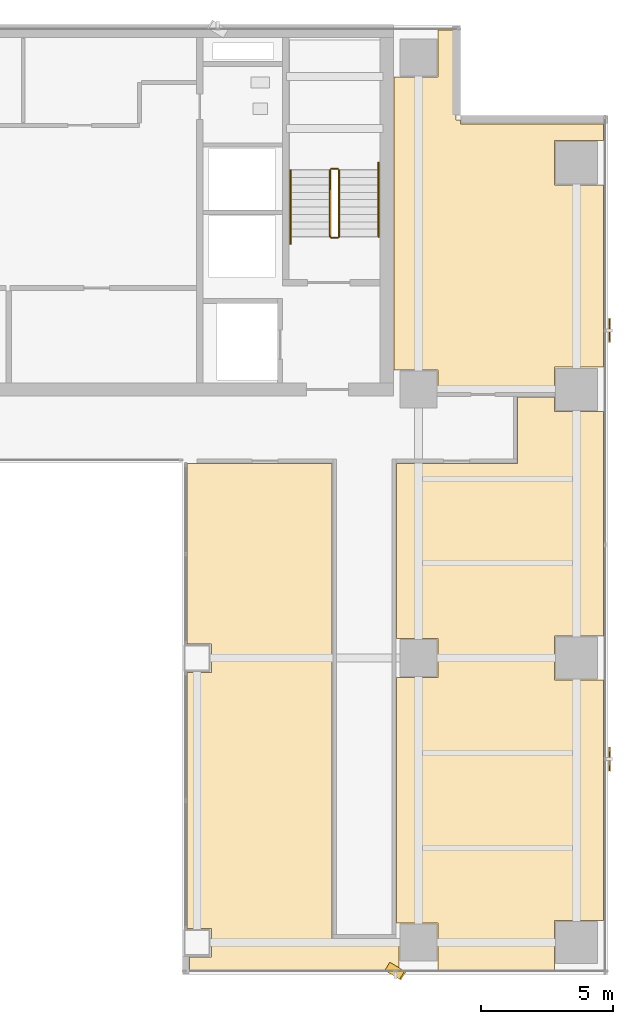
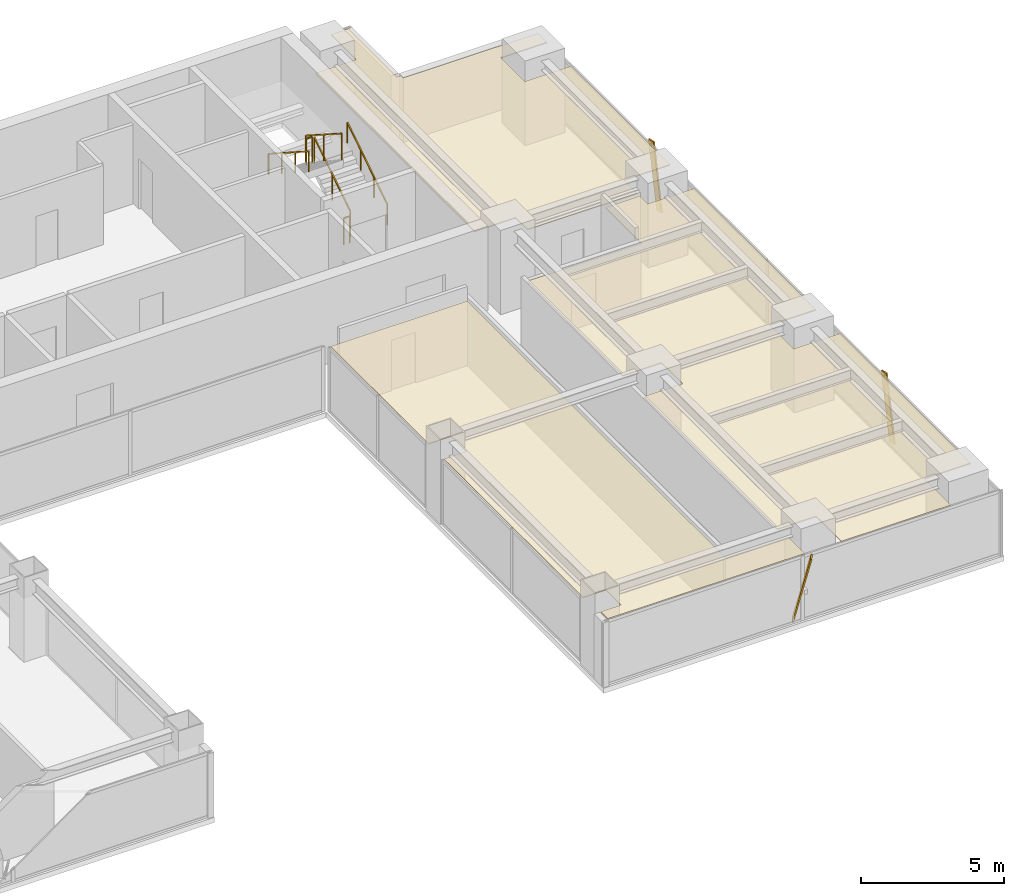
# One storey, part 27 of 29: 6 railings, 3 coverings, 3 shading devices.
"""IFC4 building model written with IfcOpenShell, lengths in metres."""

from ifc_helpers import new_model, si_unit, direction, frame, origin, origin_2d, place, context, subcontext, project, spatial, polyline, rectangle, outline, extrude, source, transform, mapped, material, layer, layer_set, material_profile, profile_set, type_object, element, save


model = new_model("IFC4")

# Units and contexts
model_context = context("Model", 3, precision=1e-05, world=origin(), true_north=direction((0.0, 1.0)))
body_context = subcontext(model_context, "Body", "Model", "MODEL_VIEW")
ifc_project = project(units=[si_unit("LENGTHUNIT", "METRE"), si_unit("AREAUNIT", "SQUARE_METRE"), si_unit("VOLUMEUNIT", "CUBIC_METRE"), si_unit("PLANEANGLEUNIT", "RADIAN"), si_unit("MASSUNIT", "GRAM", prefix="KILO")], contexts=[model_context])

# Site, building, storey
site_placement = place(None, origin())
site = spatial("IfcSite", under=ifc_project, at=site_placement, CompositionType="ELEMENT")
building_placement = place(site_placement, origin())
building = spatial("IfcBuilding", under=site, at=building_placement, Name="Sumidabori Civic Tower", CompositionType="ELEMENT")
storey_placement = place(building_placement, frame((0.0, 0.0, 207.199951171875)))
storey = spatial("IfcBuildingStorey", under=building, at=storey_placement, Name="L53", CompositionType="ELEMENT", Elevation=207.199951171875)

# Coverings
ifc_material_1 = material(Name="Perforated Timber Acoustic Ceiling", Category="wood")
ifc_layer = layer(ifc_material_1, 0.044921875, Name="Perforated Timber Acoustic Ceiling")
ifc_layer_set = layer_set([ifc_layer], Name="Perforated Timber Acoustic Ceiling")
covering_type = type_object("IfcCoveringType", Name="CV-CEIL-AC2", PredefinedType="CEILING", material=ifc_layer_set)
covering_1_placement = place(storey_placement, frame((0.0, 0.0, 2.72998046875)))
element("IfcCovering", 1, at=covering_1_placement, inside=storey, type_object=covering_type, Name="Room Acoustic Ceiling L53-02", PredefinedType="CEILING", context=body_context, shape_type="SweptSolid", body=[
    extrude(outline(polyline([(23.830078125, 20.27197265625), (23.830078125, 19.639892578125), (21.9599609375, 19.639892578125), (21.9599609375, 17.9599609375), (23.830078125, 17.9599609375), (23.830078125, 11.0400390625), (21.9599609375, 11.0400390625), (21.9599609375, 10.094970703125), (20.570068359375, 10.094970703125), (20.570068359375, 10.1201171875), (17.5400390625, 10.1201171875), (17.5400390625, 10.93994140625), (15.8779296875, 10.93994140625), (15.8779296875, 22.06005859375), (17.5400390625, 22.06005859375), (17.5400390625, 23.830078125), (18.22998046875, 23.830078125), (18.22998046875, 20.429931640625), (18.39208984375, 20.429931640625), (18.39208984375, 20.27197265625), (23.830078125, 20.27197265625)])), origin(), (0.0, 0.0, 1.0), 0.045166015625),
])
covering_2_placement = place(storey_placement, frame((0.0, 0.0, 2.72998046875)))
element("IfcCovering", 2, at=covering_2_placement, inside=storey, type_object=covering_type, Name="Room Acoustic Ceiling L53-04", PredefinedType="CEILING", context=body_context, shape_type="SweptSolid", body=[
    extrude(outline(polyline([(17.5400390625, -10.06005859375), (15.969970703125, -10.06005859375), (15.969970703125, -0.739990234375), (17.5400390625, -0.739990234375), (17.5400390625, 0.739990234375), (15.969970703125, 0.739990234375), (15.969970703125, 7.3798828125), (20.570068359375, 7.3798828125), (20.570068359375, 9.905029296875), (21.9599609375, 9.905029296875), (21.9599609375, 9.360107421875), (23.830078125, 9.360107421875), (23.830078125, 0.840087890625), (21.9599609375, 0.840087890625), (21.9599609375, -0.840087890625), (23.830078125, -0.840087890625), (23.830078125, -9.9599609375), (21.9599609375, -9.9599609375), (21.9599609375, -11.830078125), (17.5400390625, -11.830078125), (17.5400390625, -10.06005859375)])), origin(), (0.0, 0.0, 1.0), 0.045166015625),
])
covering_3_placement = place(storey_placement, frame((0.0, 0.0, 2.72998046875)))
element("IfcCovering", 3, at=covering_3_placement, inside=storey, type_object=covering_type, Name="Room Acoustic Ceiling L53-06", PredefinedType="CEILING", context=body_context, shape_type="SweptSolid", body=[
    extrude(outline(polyline([(8.93994140625, -11.340087890625), (8.93994140625, -10.260009765625), (8.02001953125, -10.260009765625), (8.02001953125, -0.5400390625), (8.93994140625, -0.5400390625), (8.93994140625, 0.5400390625), (8.02001953125, 0.5400390625), (8.02001953125, 7.3798828125), (13.530029296875, 7.3798828125), (13.530029296875, -10.669921875), (16.06005859375, -10.669921875), (16.06005859375, -11.830078125), (8.117919921875, -11.830078125), (8.117919921875, -11.340087890625), (8.93994140625, -11.340087890625)])), origin(), (0.0, 0.0, 1.0), 0.045166015625),
])

# Railings
ifc_material_2 = material(Name="Stainless Steel Hairline Finish", Category="steel")
railing_type_1 = type_object("IfcRailingType", Name="RL-HANDRAIL", PredefinedType="HANDRAIL", material=ifc_material_2)
railing_1_placement = place(storey_placement, frame((15.2900390625, 16.0, 0.179931640625)))
element("IfcRailing", 4, at=railing_1_placement, inside=storey, type_object=railing_type_1, Name="L53 ST-2 stair handrail 1", PredefinedType="HANDRAIL", context=body_context, shape_type="SweptSolid", body=[
    extrude(rectangle(XDim=0.048095703125, YDim=0.048095703125, at=origin_2d()), frame((0.0, 0.0, 0.8759765625), z_axis=(0.0, 0.84064222762, 0.54159084662), x_axis=(-1.0, 0.0, 0.0)), (0.0, 0.0, 1.0), 3.330810546875),
    extrude(rectangle(XDim=0.0419921875, YDim=0.0419921875, at=origin_2d()), origin(), (0.0, 0.0, 1.0), 0.851806640625),
    extrude(rectangle(XDim=0.0419921875, YDim=0.0419921875, at=origin_2d()), frame((0.0, 0.933349609375, 0.601318359375)), (0.0, 0.0, 1.0), 0.851806640625),
    extrude(rectangle(XDim=0.0419921875, YDim=0.0419921875, at=origin_2d()), frame((0.0, 1.86669921875, 1.20263671875)), (0.0, 0.0, 1.0), 0.851806640625),
    extrude(rectangle(XDim=0.0419921875, YDim=0.0419921875, at=origin_2d()), frame((0.0, 2.800048828125, 1.803955078125)), (0.0, 0.0, 1.0), 0.851806640625),
])
railing_2_placement = place(storey_placement, frame((11.949951171875, 18.52001953125, 1.97998046875)))
element("IfcRailing", 5, at=railing_2_placement, inside=storey, type_object=railing_type_1, Name="L53 ST-2 stair handrail 2", PredefinedType="HANDRAIL", context=body_context, shape_type="SweptSolid", body=[
    extrude(rectangle(XDim=0.048095703125, YDim=0.048095703125, at=origin_2d()), frame((0.0, 0.0, 0.8759765625), z_axis=(0.0, -0.84064222762, 0.54159084662), x_axis=(1.0, 0.0, 0.0)), (0.0, 0.0, 1.0), 3.330810546875),
    extrude(rectangle(XDim=0.0419921875, YDim=0.0419921875, at=origin_2d()), origin(), (0.0, 0.0, 1.0), 0.851806640625),
    extrude(rectangle(XDim=0.0419921875, YDim=0.0419921875, at=origin_2d()), frame((0.0, -0.933349609375, 0.601318359375)), (0.0, 0.0, 1.0), 0.851806640625),
    extrude(rectangle(XDim=0.0419921875, YDim=0.0419921875, at=origin_2d()), frame((0.0, -1.86669921875, 1.20263671875)), (0.0, 0.0, 1.0), 0.851806640625),
    extrude(rectangle(XDim=0.0419921875, YDim=0.0419921875, at=origin_2d()), frame((0.0, -2.800048828125, 1.803955078125)), (0.0, 0.0, 1.0), 0.851806640625),
])
ifc_material_3 = material(Name="Steel SN490", Category="steel")
railing_type_2 = type_object("IfcRailingType", Name="RL-STAIR-GUARD", PredefinedType="GUARDRAIL", material=ifc_material_3)
railing_3_placement = place(storey_placement, frame((13.7900390625, 16.0, 0.179931640625)))
element("IfcRailing", 6, at=railing_3_placement, inside=storey, type_object=railing_type_2, Name="L53 ST-2 stair guard 1", PredefinedType="GUARDRAIL", context=body_context, shape_type="SweptSolid", body=[
    extrude(rectangle(XDim=0.048095703125, YDim=0.048095703125, at=origin_2d()), frame((0.0, 0.0, 1.1259765625), z_axis=(0.0, 0.841162588446, 0.540782303519), x_axis=(-1.0, 0.0, 0.0)), (0.0, 0.0, 1.0), 2.995849609375),
    extrude(rectangle(XDim=0.0419921875, YDim=0.0419921875, at=origin_2d()), origin(), (0.0, 0.0, 1.0), 1.101806640625),
    extrude(rectangle(XDim=0.0419921875, YDim=0.0419921875, at=origin_2d()), frame((0.0, 1.260009765625, 0.81005859375)), (0.0, 0.0, 1.0), 1.101806640625),
    extrude(rectangle(XDim=0.0419921875, YDim=0.0419921875, at=origin_2d()), frame((0.0, 2.52001953125, 1.6201171875)), (0.0, 0.0, 1.0), 1.101806640625),
])
railing_4_placement = place(storey_placement, frame((13.739990234375, 18.570068359375, 1.800048828125)))
element("IfcRailing", 7, at=railing_4_placement, inside=storey, type_object=railing_type_2, Name="L53 ST-2 stair guard 2", PredefinedType="GUARDRAIL", context=body_context, shape_type="SweptSolid", body=[
    extrude(rectangle(XDim=0.048095703125, YDim=0.048095703125, at=origin_2d()), frame((0.0, 0.0, 1.1259765625), z_axis=(-1.0, 0.0, 0.0), x_axis=(0.0, -1.0, 0.0)), (0.0, 0.0, 1.0), 0.239990234375),
    extrude(rectangle(XDim=0.0419921875, YDim=0.0419921875, at=origin_2d()), origin(), (0.0, 0.0, 1.0), 1.101806640625),
    extrude(rectangle(XDim=0.0419921875, YDim=0.0419921875, at=origin_2d()), frame((-0.239990234375, 0.0, 0.0)), (0.0, 0.0, 1.0), 1.101806640625),
])
railing_5_placement = place(storey_placement, frame((13.449951171875, 18.52001953125, 1.97998046875)))
element("IfcRailing", 8, at=railing_5_placement, inside=storey, type_object=railing_type_2, Name="L53 ST-2 stair guard 3", PredefinedType="GUARDRAIL", context=body_context, shape_type="SweptSolid", body=[
    extrude(rectangle(XDim=0.048095703125, YDim=0.048095703125, at=origin_2d()), frame((0.0, 0.0, 1.1259765625), z_axis=(0.0, -0.841162588446, 0.540782303519), x_axis=(1.0, 0.0, 0.0)), (0.0, 0.0, 1.0), 2.995849609375),
    extrude(rectangle(XDim=0.0419921875, YDim=0.0419921875, at=origin_2d()), origin(), (0.0, 0.0, 1.0), 1.101806640625),
    extrude(rectangle(XDim=0.0419921875, YDim=0.0419921875, at=origin_2d()), frame((0.0, -1.260009765625, 0.81005859375)), (0.0, 0.0, 1.0), 1.101806640625),
    extrude(rectangle(XDim=0.0419921875, YDim=0.0419921875, at=origin_2d()), frame((0.0, -2.52001953125, 1.6201171875)), (0.0, 0.0, 1.0), 1.101806640625),
])
railing_6_placement = place(storey_placement, frame((13.739990234375, 15.949951171875, 0.0)))
element("IfcRailing", 9, at=railing_6_placement, inside=storey, type_object=railing_type_2, Name="L53 ST-2 stair guard 4", PredefinedType="GUARDRAIL", context=body_context, shape_type="SweptSolid", body=[
    extrude(rectangle(XDim=0.048095703125, YDim=0.048095703125, at=origin_2d()), frame((0.0, 0.0, 1.1259765625), z_axis=(-1.0, 0.0, 0.0), x_axis=(0.0, -1.0, 0.0)), (0.0, 0.0, 1.0), 0.239990234375),
    extrude(rectangle(XDim=0.0419921875, YDim=0.0419921875, at=origin_2d()), origin(), (0.0, 0.0, 1.0), 1.101806640625),
    extrude(rectangle(XDim=0.0419921875, YDim=0.0419921875, at=origin_2d()), frame((-0.239990234375, 0.0, 0.0)), (0.0, 0.0, 1.0), 1.101806640625),
])

# Shading devices
ifc_material_4 = material(Name="Anodised Bronze Aluminium AW-6063-T6", Category="aluminium")
ifc_material_profile = material_profile(ifc_material_4, rectangle(XDim=0.054931640625, YDim=0.360107421875, at=origin_2d()), Name="BRONZE FIN 360x55")
ifc_profile_set = profile_set([ifc_material_profile], Name="Anodised Bronze Aluminium AW-6063-T6")
shading_device_type = type_object("IfcShadingDeviceType", Name="SH-FIN-360", PredefinedType="USERDEFINED", material=ifc_profile_set)
shared_shape_1 = source(origin(), body_context, "Body", "SweptSolid", [
    extrude(rectangle(XDim=0.054931640625, YDim=0.360107421875, at=origin_2d()), origin(), (0.0, 0.0, 1.0), 2.7783203125),
])
shading_device_placement = place(storey_placement, frame((15.64501953125, -11.7099609375, 0.02001953125), z_axis=(0.201581748781, -0.122407748933, 0.971792746196), x_axis=(0.830641884105, -0.504395878186, -0.235836507862)))
element("IfcShadingDevice", 10, at=shading_device_placement, inside=storey, type_object=shading_device_type, Name="Bronze Anodised Diagonal Fin L53-01", ObjectType="FIN", PredefinedType="USERDEFINED", context=body_context, shape_type="MappedRepresentation", body=[
    mapped(shared_shape_1, transform((0.0, 0.0, 0.0), x_axis=(1.0, 0.0, 0.0), y_axis=(0.0, 1.0, 0.0), z_axis=(0.0, 0.0, 1.0), scale=1.0)),
])
shared_shape_2 = source(origin(), body_context, "Body", "SweptSolid", [
    extrude(rectangle(XDim=0.054931640625, YDim=0.360107421875, at=origin_2d()), origin(), (0.0, 0.0, 1.0), 2.75732421875),
])
for number, where, z_axis, x_axis, name in (
    (11, (24.050048828125, -4.114990234375, 0.02001953125), (0.0, 0.203109150817, 0.979156102393), (-1.0, 0.0, 0.0), "Bronze Anodised Diagonal Fin L53-01"),
    (12, (24.050048828125, 12.155029296875, 0.02001953125), (0.0, 0.203109150817, 0.979156102393), (-1.0, 0.0, 0.0), "Bronze Anodised Diagonal Fin L53-03"),
):
    element("IfcShadingDevice", number, at=place(storey_placement, frame(where, z_axis=z_axis, x_axis=x_axis)), inside=storey, type_object=shading_device_type, Name=name, ObjectType="FIN", PredefinedType="USERDEFINED", context=body_context, shape_type="MappedRepresentation", body=[
        mapped(shared_shape_2, transform((0.0, 0.0, 0.0), x_axis=(1.0, 0.0, 0.0), y_axis=(0.0, 1.0, 0.0), z_axis=(0.0, 0.0, 1.0), scale=1.0)),
    ])

save(model, "model.ifc")
